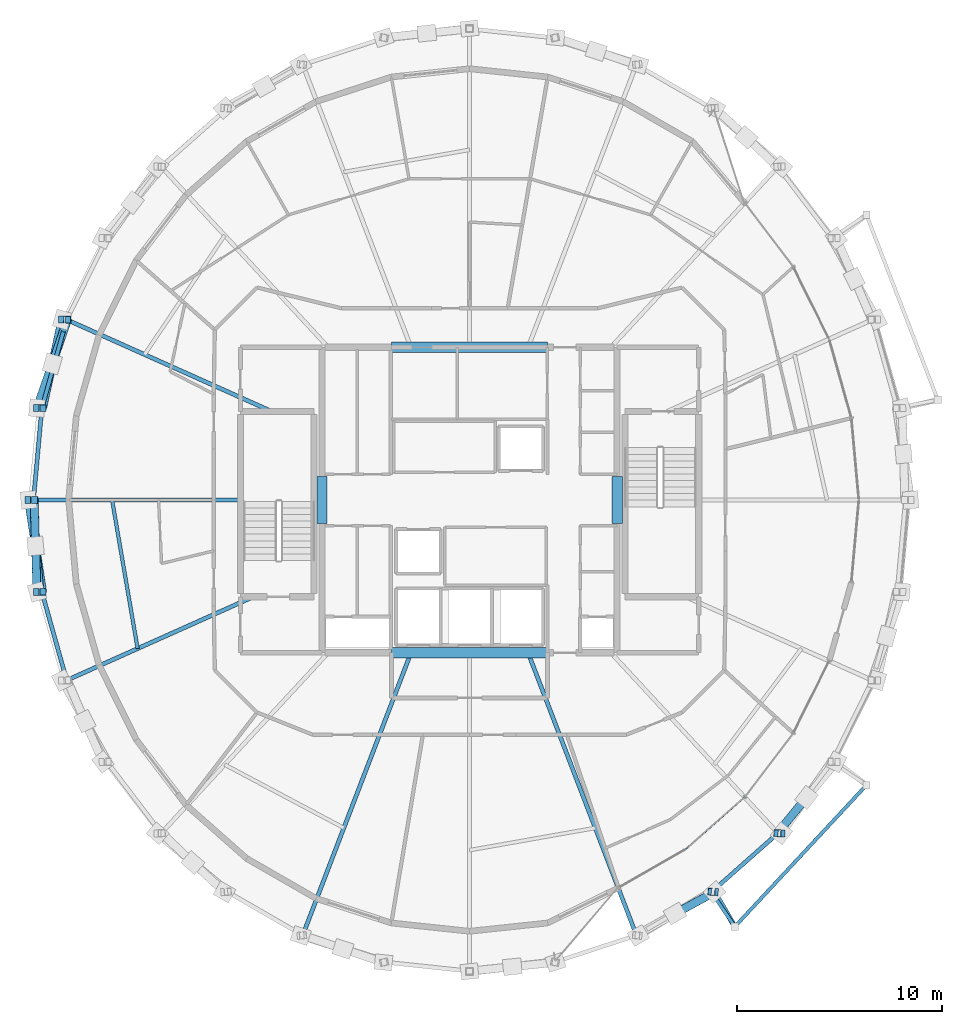
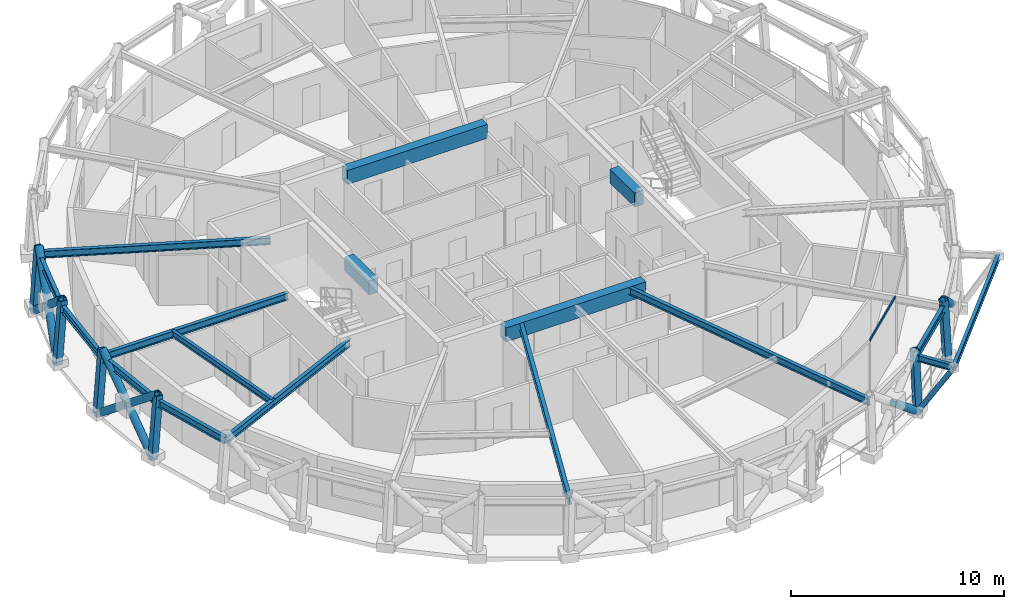
# One storey, part 3 of 15: 17 beams, 16 members, 1 element without a shape of its own.
"""IFC4 building model written with IfcOpenShell, lengths in metres."""

from ifc_helpers import new_model, si_unit, direction, frame, origin, origin_2d, place, context, subcontext, project, spatial, rectangle, hollow_rectangle, hollow_circle, i_section, extrude, material, layer, layer_set, material_profile, profile_set, type_object, element, aggregate, save


model = new_model("IFC4")

# Units and contexts
model_context = context("Model", 3, precision=1e-05, world=origin(), true_north=direction((0.0, 1.0)))
body_context = subcontext(model_context, "Body", "Model", "MODEL_VIEW")
ifc_project = project(units=[si_unit("LENGTHUNIT", "METRE"), si_unit("AREAUNIT", "SQUARE_METRE"), si_unit("VOLUMEUNIT", "CUBIC_METRE"), si_unit("PLANEANGLEUNIT", "RADIAN"), si_unit("MASSUNIT", "GRAM", prefix="KILO")], contexts=[model_context])

# Site, building, storey
site_placement = place(None, origin())
site = spatial("IfcSite", under=ifc_project, at=site_placement, CompositionType="ELEMENT")
building_placement = place(site_placement, origin())
building = spatial("IfcBuilding", under=site, at=building_placement, Name="Veldorina Hangang Commons", CompositionType="ELEMENT")
storey_placement = place(building_placement, frame((0.0, 0.0, 268.800048828125)))
storey = spatial("IfcBuildingStorey", under=building, at=storey_placement, Name="L70", CompositionType="ELEMENT", Elevation=268.800048828125)

# Beams
ifc_material_1 = material(Name="Concrete C50/60", Category="concrete")
ifc_material_profile_1 = material_profile(ifc_material_1, rectangle(XDim=0.5, YDim=0.800048828125, at=origin_2d()), Name="RC-CB-500x800")
ifc_profile_set_1 = profile_set([ifc_material_profile_1], Name="Concrete C50/60")
beam_type_1 = type_object("IfcBeamType", Name="BM-CB800", PredefinedType="LINTEL", material=ifc_profile_set_1)
for number, where, z_axis, x_axis, name in (
    (1, (24.800048828125, 22.85009765625, 2.9599609375), (0.0, 1.0, 0.0), (-1.0, 0.0, 0.0), "L70 W core coupling lintel beam"),
    (2, (39.199951171875, 22.85009765625, 2.9599609375), (0.0, 1.0, 0.0), (-1.0, 0.0, 0.0), "L70 E core coupling lintel beam"),
):
    element("IfcBeam", number, at=place(storey_placement, frame(where, z_axis=z_axis, x_axis=x_axis)), inside=storey, type_object=beam_type_1, Name=name, PredefinedType="LINTEL", context=body_context, shape_type="SweptSolid", body=[
        extrude(rectangle(XDim=0.5, YDim=0.800048828125, at=origin_2d()), origin(), (0.0, 0.0, 1.0), 2.2998046875),
    ])
for number, where, z_axis, x_axis, name in (
    (3, (28.199951171875, 16.550048828125, 2.9599609375), (1.0, 0.0, 0.0), (0.0, 1.0, 0.0), "L70 south core coupling beam"),
    (4, (28.199951171875, 31.449951171875, 2.9599609375), (1.0, 0.0, 0.0), (0.0, 1.0, 0.0), "L70 north core coupling beam"),
):
    element("IfcBeam", number, at=place(storey_placement, frame(where, z_axis=z_axis, x_axis=x_axis)), inside=storey, type_object=beam_type_1, Name=name, PredefinedType="LINTEL", context=body_context, shape_type="SweptSolid", body=[
        extrude(rectangle(XDim=0.5, YDim=0.800048828125, at=origin_2d()), origin(), (0.0, 0.0, 1.0), 7.60009765625),
    ])
ifc_material_2 = material(Name="Steel SM355-TMC", Category="steel")
ifc_material_profile_2 = material_profile(ifc_material_2, i_section(OverallWidth=0.175048828125, OverallDepth=0.35009765625, WebThickness=0.007080078125, FlangeThickness=0.010986328125, FilletRadius=0.012939453125, at=origin_2d()), Name="H-350x175x7x11")
ifc_profile_set_2 = profile_set([ifc_material_profile_2], Name="Steel SM355-TMC")
beam_type_2 = type_object("IfcBeamType", Name="BM-FG350", PredefinedType="BEAM", material=ifc_profile_set_2)
beam_1_placement = place(storey_placement, frame((43.79833984375, 4.888916015625, 3.18505859375), z_axis=(0.555551852394, -0.83148189355, 0.0), x_axis=(0.83148189355, 0.555551852394, 0.0)))
element("IfcBeam", 5, at=beam_1_placement, inside=storey, type_object=beam_type_2, Name="L71 tree balcony 1 bracket beam A", PredefinedType="BEAM", context=body_context, shape_type="SweptSolid", body=[
    extrude(i_section(OverallWidth=0.175048828125, OverallDepth=0.35009765625, WebThickness=0.007080078125, FlangeThickness=0.010986328125, FilletRadius=0.012939453125, at=origin_2d()), origin(), (0.0, 0.0, 1.0), 2.050048828125),
])
beam_2_placement = place(storey_placement, frame((44.937255859375, 3.184326171875, 3.18505859375), z_axis=(0.681073287726, 0.732215253014, 0.0), x_axis=(-0.732215253014, 0.681073287726, 0.0)))
element("IfcBeam", 6, at=beam_2_placement, inside=storey, type_object=beam_type_2, Name="L71 tree balcony 1 outer rim beam", PredefinedType="BEAM", context=body_context, shape_type="SweptSolid", body=[
    extrude(i_section(OverallWidth=0.175048828125, OverallDepth=0.35009765625, WebThickness=0.007080078125, FlangeThickness=0.010986328125, FilletRadius=0.012939453125, at=origin_2d()), origin(), (0.0, 0.0, 1.0), 9.43310546875),
])
ifc_material_profile_3 = material_profile(ifc_material_2, i_section(OverallWidth=0.199951171875, OverallDepth=0.39990234375, WebThickness=0.008056640625, FlangeThickness=0.012939453125, FilletRadius=0.012939453125, at=origin_2d()), Name="H-400x200x8x13")
ifc_profile_set_3 = profile_set([ifc_material_profile_3], Name="Steel SM355-TMC")
beam_type_3 = type_object("IfcBeamType", Name="BM-FG400", PredefinedType="BEAM", material=ifc_profile_set_3)
beam_3_placement = place(storey_placement, frame((22.34912109375, 28.320068359375, 3.159912109375), z_axis=(-0.912739765698, 0.408541454583, 0.0), x_axis=(-0.408541454583, -0.912739765698, 0.0)))
element("IfcBeam", 7, at=beam_3_placement, inside=storey, type_object=beam_type_3, Name="L70 radial floor girder 08", PredefinedType="BEAM", context=body_context, shape_type="SweptSolid", body=[
    extrude(i_section(OverallWidth=0.199951171875, OverallDepth=0.39990234375, WebThickness=0.008056640625, FlangeThickness=0.012939453125, FilletRadius=0.012939453125, at=origin_2d()), origin(), (0.0, 0.0, 1.0), 10.956787109375),
])
beam_4_placement = place(storey_placement, frame((20.820068359375, 24.0, 3.159912109375), z_axis=(-1.0, 0.0, 0.0), x_axis=(0.0, -1.0, 0.0)))
element("IfcBeam", 8, at=beam_4_placement, inside=storey, type_object=beam_type_3, Name="L70 radial floor girder 09", PredefinedType="BEAM", context=body_context, shape_type="SweptSolid", body=[
    extrude(i_section(OverallWidth=0.199951171875, OverallDepth=0.39990234375, WebThickness=0.008056640625, FlangeThickness=0.012939453125, FilletRadius=0.012939453125, at=origin_2d()), origin(), (0.0, 0.0, 1.0), 10.090576171875),
])
beam_5_placement = place(storey_placement, frame((21.45556640625, 19.280029296875, 3.159912109375), z_axis=(-0.912737826534, -0.408545786924, 0.0), x_axis=(0.408545786924, -0.912737826534, 0.0)))
element("IfcBeam", 9, at=beam_5_placement, inside=storey, type_object=beam_type_3, Name="L70 radial floor girder 10", PredefinedType="BEAM", context=body_context, shape_type="SweptSolid", body=[
    extrude(i_section(OverallWidth=0.199951171875, OverallDepth=0.39990234375, WebThickness=0.008056640625, FlangeThickness=0.012939453125, FilletRadius=0.012939453125, at=origin_2d()), origin(), (0.0, 0.0, 1.0), 9.977783203125),
])
for number, where, z_axis, x_axis, name in (
    (10, (29.144287109375, 16.550048828125, 3.159912109375), (-0.357895163027, -0.933761774909, 0.0), (0.933761774909, -0.357895163027, 0.0), "L70 radial floor girder 12"),
    (11, (34.855712890625, 16.550048828125, 3.159912109375), (0.357895163027, -0.933761774909, 0.0), (0.933761774909, 0.357895163027, 0.0), "L70 radial floor girder 14"),
):
    element("IfcBeam", number, at=place(storey_placement, frame(where, z_axis=z_axis, x_axis=x_axis)), inside=storey, type_object=beam_type_3, Name=name, PredefinedType="BEAM", context=body_context, shape_type="SweptSolid", body=[
        extrude(i_section(OverallWidth=0.199951171875, OverallDepth=0.39990234375, WebThickness=0.008056640625, FlangeThickness=0.012939453125, FilletRadius=0.012939453125, at=origin_2d()), origin(), (0.0, 0.0, 1.0), 14.7646484375),
    ])
ifc_material_profile_4 = material_profile(ifc_material_2, i_section(OverallWidth=0.175048828125, OverallDepth=0.35009765625, WebThickness=0.007080078125, FlangeThickness=0.010986328125, FilletRadius=0.012939453125, at=origin_2d()), Name="H-350x175x7x11")
ifc_profile_set_4 = profile_set([ifc_material_profile_4], Name="Steel SM355-TMC")
beam_type_4 = type_object("IfcBeamType", Name="BM-JST350", PredefinedType="JOIST", material=ifc_profile_set_4)
beam_6_placement = place(storey_placement, frame((14.563720703125, 24.0, 3.18505859375), z_axis=(0.169355440578, -0.985555038923, 0.0), x_axis=(0.985555038923, 0.169355440578, 0.0)))
element("IfcBeam", 12, at=beam_6_placement, inside=storey, type_object=beam_type_4, Name="L70 secondary floor joist 09", PredefinedType="JOIST", context=body_context, shape_type="SweptSolid", body=[
    extrude(i_section(OverallWidth=0.175048828125, OverallDepth=0.35009765625, WebThickness=0.007080078125, FlangeThickness=0.010986328125, FilletRadius=0.012939453125, at=origin_2d()), origin(), (0.0, 0.0, 1.0), 7.353515625),
])
ifc_material_profile_5 = material_profile(ifc_material_2, i_section(OverallWidth=0.199951171875, OverallDepth=0.39990234375, WebThickness=0.008056640625, FlangeThickness=0.012939453125, FilletRadius=0.012939453125, at=origin_2d()), Name="H-400x200x8x13")
ifc_profile_set_5 = profile_set([ifc_material_profile_5], Name="Steel SM355-TMC")
beam_type_5 = type_object("IfcBeamType", Name="BM-RB400", PredefinedType="BEAM", material=ifc_profile_set_5)
beam_7_placement = place(storey_placement, frame((12.348388671875, 32.79638671875, 3.159912109375), z_axis=(-0.270218270075, -0.962799089383, 0.0), x_axis=(0.962799089383, -0.270218270075, 0.0)))
element("IfcBeam", 13, at=beam_7_placement, inside=storey, type_object=beam_type_5, Name="L70 perimeter hoop ring beam 14", PredefinedType="BEAM", context=body_context, shape_type="SweptSolid", body=[
    extrude(i_section(OverallWidth=0.199951171875, OverallDepth=0.39990234375, WebThickness=0.008056640625, FlangeThickness=0.012939453125, FilletRadius=0.012939453125, at=origin_2d()), origin(), (0.0, 0.0, 1.0), 4.478515625),
])
for number, where, z_axis, x_axis, name in (
    (14, (11.13818359375, 28.484375, 3.159912109375), (-0.090760614325, -0.995872738299, 0.0), (0.995872738299, -0.090760614325, 0.0), "L70 perimeter hoop ring beam 15"),
    (15, (10.7294921875, 24.0, 3.159912109375), (0.090760614325, -0.995872738299, 0.0), (0.995872738299, 0.090760614325, 0.0), "L70 perimeter hoop ring beam 16"),
):
    element("IfcBeam", number, at=place(storey_placement, frame(where, z_axis=z_axis, x_axis=x_axis)), inside=storey, type_object=beam_type_5, Name=name, PredefinedType="BEAM", context=body_context, shape_type="SweptSolid", body=[
        extrude(i_section(OverallWidth=0.199951171875, OverallDepth=0.39990234375, WebThickness=0.008056640625, FlangeThickness=0.012939453125, FilletRadius=0.012939453125, at=origin_2d()), origin(), (0.0, 0.0, 1.0), 4.5029296875),
    ])
beam_8_placement = place(storey_placement, frame((11.13818359375, 19.515625, 3.159912109375), z_axis=(0.270218270075, -0.962799089383, 0.0), x_axis=(0.962799089383, 0.270218270075, 0.0)))
element("IfcBeam", 16, at=beam_8_placement, inside=storey, type_object=beam_type_5, Name="L70 perimeter hoop ring beam 17", PredefinedType="BEAM", context=body_context, shape_type="SweptSolid", body=[
    extrude(i_section(OverallWidth=0.199951171875, OverallDepth=0.39990234375, WebThickness=0.008056640625, FlangeThickness=0.012939453125, FilletRadius=0.012939453125, at=origin_2d()), origin(), (0.0, 0.0, 1.0), 4.478515625),
])
beam_9_placement = place(storey_placement, frame((43.8173828125, 4.8876953125, 3.159912109375), z_axis=(0.74817173602, 0.663505126899, 0.0), x_axis=(-0.663505126899, 0.74817173602, 0.0)))
element("IfcBeam", 17, at=beam_9_placement, inside=storey, type_object=beam_type_5, Name="L70 perimeter hoop ring beam 27", PredefinedType="BEAM", context=body_context, shape_type="SweptSolid", body=[
    extrude(i_section(OverallWidth=0.199951171875, OverallDepth=0.39990234375, WebThickness=0.008056640625, FlangeThickness=0.012939453125, FilletRadius=0.012939453125, at=origin_2d()), origin(), (0.0, 0.0, 1.0), 4.30810546875),
])

# Curtain wall, member
ifc_material_3 = material(Name="Glass Low-E Selective", Category="glass")
ifc_layer = layer(ifc_material_3, 0.179931640625)
ifc_layer_set = layer_set([ifc_layer], Name="Glass Low-E Selective")
curtain_wall_type = type_object("IfcCurtainWallType", Name="CW-SYS-Z3", PredefinedType="NOTDEFINED", material=ifc_layer_set)
curtain_wall_placement = place(storey_placement, origin())
curtain_wall = element("IfcCurtainWall", 18, at=curtain_wall_placement, inside=storey, type_object=curtain_wall_type, Name="L70 unitised curtain wall CW-L70-R1", PredefinedType="NOTDEFINED")
ifc_material_4 = material(Name="Aluminium Anodized AA6063-T6", Category="aluminium")
ifc_material_profile_6 = material_profile(ifc_material_4, hollow_rectangle(XDim=0.06005859375, YDim=0.139892578125, WallThickness=0.00341796875, at=origin_2d()), Name="ALU-RHS-140x60x3.5")
ifc_profile_set_6 = profile_set([ifc_material_profile_6], Name="Aluminium Anodized AA6063-T6")
member_type_1 = type_object("IfcMemberType", Name="CW-TRN-140", PredefinedType="USERDEFINED", material=ifc_profile_set_6)
member_1_placement = place(storey_placement, frame((42.55419921875, 6.97412109375, 3.280029296875), z_axis=(0.749012324683, 0.662556063645, 0.0), x_axis=(-0.662556063645, 0.749012324683, 0.0)))
member_1 = element("IfcMember", 19, at=member_1_placement, type_object=member_type_1, Name="CW-L70-R1 facet 2 transom 1", ObjectType="TRANSOM", PredefinedType="USERDEFINED", context=body_context, shape_type="SweptSolid", body=[
    extrude(hollow_rectangle(XDim=0.06005859375, YDim=0.139892578125, WallThickness=0.00341796875, at=origin_2d()), origin(), (0.0, 0.0, 1.0), 3.84326171875),
])
aggregate(curtain_wall, [member_1])

# Members
ifc_material_profile_7 = material_profile(ifc_material_2, hollow_circle(Radius=0.199951171875, WallThickness=0.02001953125, at=origin_2d()), Name="CHS-400x20")
ifc_profile_set_7 = profile_set([ifc_material_profile_7], Name="Steel SM355-TMC")
member_type_2 = type_object("IfcMemberType", Name="DG-CHS400", PredefinedType="BRACE", material=ifc_profile_set_7)
member_2_placement = place(storey_placement, frame((12.12109375, 32.800537109375, 0.0), z_axis=(-0.166567853631, -0.757243417897, 0.631535870865), x_axis=(0.976651421307, -0.214830168409, 0.0)))
element("IfcMember", 20, at=member_2_placement, inside=storey, type_object=member_type_2, Name="L70 continuous perimeter diagrid brace 14", PredefinedType="BRACE", context=body_context, shape_type="SweptSolid", body=[
    extrude(hollow_circle(Radius=0.199951171875, WallThickness=0.02001953125, at=origin_2d()), origin(), (0.0, 0.0, 1.0), 5.7001953125),
])
member_3_placement = place(storey_placement, frame((10.896484375, 28.486572265625, 0.0), z_axis=(0.257880542251, 0.741217558575, 0.619753303169), x_axis=(-0.944470802281, 0.328595349388, 0.0)))
element("IfcMember", 21, at=member_3_placement, inside=storey, type_object=member_type_2, Name="L70 split perimeter diagrid lower brace 15", PredefinedType="BRACE", context=body_context, shape_type="SweptSolid", body=[
    extrude(hollow_circle(Radius=0.199951171875, WallThickness=0.02001953125, at=origin_2d()), origin(), (0.0, 0.0, 1.0), 2.906494140625),
])
member_4_placement = place(storey_placement, frame((11.64599609375, 30.640869140625, 1.80126953125), z_axis=(0.253028198252, 0.742760194868, 0.619906463758), x_axis=(-0.946582367195, 0.322462125088, 0.0)))
element("IfcMember", 22, at=member_4_placement, inside=storey, type_object=member_type_2, Name="L70 split perimeter diagrid upper brace 15", PredefinedType="BRACE", context=body_context, shape_type="SweptSolid", body=[
    extrude(hollow_circle(Radius=0.199951171875, WallThickness=0.02001953125, at=origin_2d()), origin(), (0.0, 0.0, 1.0), 2.9013671875),
])
member_5_placement = place(storey_placement, frame((10.483154296875, 24.0, 0.0), z_axis=(0.118879016698, -0.774273368684, 0.621585496883), x_axis=(0.988417690503, 0.151757929287, 0.0)))
element("IfcMember", 23, at=member_5_placement, inside=storey, type_object=member_type_2, Name="L70 continuous perimeter diagrid brace 16", PredefinedType="BRACE", context=body_context, shape_type="SweptSolid", body=[
    extrude(hollow_circle(Radius=0.199951171875, WallThickness=0.02001953125, at=origin_2d()), origin(), (0.0, 0.0, 1.0), 5.79150390625),
])
member_6_placement = place(storey_placement, frame((10.896484375, 19.513427734375, 0.0), z_axis=(-0.023925275828, 0.779692499509, 0.625705351891), x_axis=(-0.999529531413, -0.030671091171, 0.0)))
element("IfcMember", 24, at=member_6_placement, inside=storey, type_object=member_type_2, Name="L70 split perimeter diagrid lower brace 17", PredefinedType="BRACE", context=body_context, shape_type="SweptSolid", body=[
    extrude(hollow_circle(Radius=0.199951171875, WallThickness=0.02001953125, at=origin_2d()), origin(), (0.0, 0.0, 1.0), 2.877685546875),
])
member_7_placement = place(storey_placement, frame((10.82763671875, 21.757080078125, 1.800537109375), z_axis=(-0.0222396352, 0.779830261772, 0.625595845135), x_axis=(-0.999593593784, -0.028506968714, 0.0)))
element("IfcMember", 25, at=member_7_placement, inside=storey, type_object=member_type_2, Name="L70 split perimeter diagrid upper brace 17", PredefinedType="BRACE", context=body_context, shape_type="SweptSolid", body=[
    extrude(hollow_circle(Radius=0.199951171875, WallThickness=0.02001953125, at=origin_2d()), origin(), (0.0, 0.0, 1.0), 2.876220703125),
])
member_8_placement = place(storey_placement, frame((43.9541015625, 4.878662109375, 0.0), z_axis=(-0.677766395207, -0.369721954606, 0.635561476027), x_axis=(0.478883269434, -0.877878587423, 0.0)))
element("IfcMember", 26, at=member_8_placement, inside=storey, type_object=member_type_2, Name="L70 split perimeter diagrid lower brace 27", PredefinedType="BRACE", context=body_context, shape_type="SweptSolid", body=[
    extrude(hollow_circle(Radius=0.199951171875, WallThickness=0.02001953125, at=origin_2d()), origin(), (0.0, 0.0, 1.0), 2.845947265625),
])
member_9_placement = place(storey_placement, frame((48.439208984375, 9.489013671875, 1.8046875), z_axis=(-0.494455878407, -0.605258791447, 0.623839065533), x_axis=(0.774431069879, -0.632658294821, 0.0)))
element("IfcMember", 27, at=member_9_placement, inside=storey, type_object=member_type_2, Name="L70 split perimeter diagrid upper brace 29", PredefinedType="BRACE", context=body_context, shape_type="SweptSolid", body=[
    extrude(hollow_circle(Radius=0.199951171875, WallThickness=0.02001953125, at=origin_2d()), origin(), (0.0, 0.0, 1.0), 2.877685546875),
])
ifc_material_profile_8 = material_profile(ifc_material_2, hollow_rectangle(XDim=0.25, YDim=0.25, WallThickness=0.011962890625, at=origin_2d()), Name="SHS-250x250x12")
ifc_profile_set_8 = profile_set([ifc_material_profile_8], Name="Steel SM355-TMC")
member_type_3 = type_object("IfcMemberType", Name="STR-SHS250", PredefinedType="STRUT", material=ifc_profile_set_8)
member_10_placement = place(storey_placement, frame((43.9541015625, 4.878662109375, 0.0), z_axis=(0.262928448111, -0.453122282069, 0.851791540616), x_axis=(0.864933811434, 0.50188594505, 0.0)))
element("IfcMember", 28, at=member_10_placement, inside=storey, type_object=member_type_3, Name="L71 tree balcony 1 raking knee strut A", PredefinedType="STRUT", context=body_context, shape_type="SweptSolid", body=[
    extrude(hollow_rectangle(XDim=0.25, YDim=0.25, WallThickness=0.011962890625, at=origin_2d()), origin(), (0.0, 0.0, 1.0), 3.7392578125),
])
ifc_material_profile_9 = material_profile(ifc_material_2, hollow_rectangle(XDim=0.35009765625, YDim=0.35009765625, WallThickness=0.01611328125, at=origin_2d()), Name="SHS-350x350x16")
ifc_profile_set_9 = profile_set([ifc_material_profile_9], Name="Steel SM355-TMC")
member_type_4 = type_object("IfcMemberType", Name="STR-SHS350", PredefinedType="STRUT", material=ifc_profile_set_9)
member_11_placement = place(storey_placement, frame((12.12109375, 32.800537109375, 0.0), z_axis=(0.071770969791, -0.001285248281, 0.997420310617), x_axis=(0.017904763657, 0.999839696871, 0.0)))
element("IfcMember", 29, at=member_11_placement, inside=storey, type_object=member_type_4, Name="L70 perimeter ring node post 14", PredefinedType="STRUT", context=body_context, shape_type="SweptSolid", body=[
    extrude(hollow_rectangle(XDim=0.35009765625, YDim=0.35009765625, WallThickness=0.01611328125, at=origin_2d()), origin(), (0.0, 0.0, 1.0), 3.609130859375),
])
member_12_placement = place(storey_placement, frame((10.896484375, 28.486572265625, 0.0), z_axis=(0.076210386881, -0.000676223486, 0.997091530228), x_axis=(0.008872765184, 0.999960636244, 0.0)))
element("IfcMember", 30, at=member_12_placement, inside=storey, type_object=member_type_4, Name="L70 perimeter ring node post 15", PredefinedType="STRUT", context=body_context, shape_type="SweptSolid", body=[
    extrude(hollow_rectangle(XDim=0.35009765625, YDim=0.35009765625, WallThickness=0.01611328125, at=origin_2d()), origin(), (0.0, 0.0, 1.0), 3.6103515625),
])
member_13_placement = place(storey_placement, frame((10.483154296875, 24.0, 0.0), z_axis=(0.077689202637, 0.0, 0.996977626526), x_axis=(0.0, 1.0, 0.0)))
element("IfcMember", 31, at=member_13_placement, inside=storey, type_object=member_type_4, Name="L70 perimeter ring node post 16", PredefinedType="STRUT", context=body_context, shape_type="SweptSolid", body=[
    extrude(hollow_rectangle(XDim=0.35009765625, YDim=0.35009765625, WallThickness=0.01611328125, at=origin_2d()), origin(), (0.0, 0.0, 1.0), 3.61083984375),
])
member_14_placement = place(storey_placement, frame((10.896484375, 19.513427734375, 0.0), z_axis=(0.076210386881, 0.000676223486, 0.997091530228), x_axis=(-0.008872765184, 0.999960636244, 0.0)))
element("IfcMember", 32, at=member_14_placement, inside=storey, type_object=member_type_4, Name="L70 perimeter ring node post 17", PredefinedType="STRUT", context=body_context, shape_type="SweptSolid", body=[
    extrude(hollow_rectangle(XDim=0.35009765625, YDim=0.35009765625, WallThickness=0.01611328125, at=origin_2d()), origin(), (0.0, 0.0, 1.0), 3.6103515625),
])
member_15_placement = place(storey_placement, frame((43.9541015625, 4.878662109375, 0.0), z_axis=(-0.043228282479, 0.002845749003, 0.99906116795), x_axis=(-0.065688538203, -0.997840175554, 0.0)))
element("IfcMember", 33, at=member_15_placement, inside=storey, type_object=member_type_4, Name="L70 perimeter ring node post 27", PredefinedType="STRUT", context=body_context, shape_type="SweptSolid", body=[
    extrude(hollow_rectangle(XDim=0.35009765625, YDim=0.35009765625, WallThickness=0.01611328125, at=origin_2d()), origin(), (0.0, 0.0, 1.0), 3.603271484375),
])
member_16_placement = place(storey_placement, frame((47.214599609375, 7.73876953125, 0.0), z_axis=(-0.054986046777, 0.002370088223, 0.998484310013), x_axis=(-0.04306346288, -0.999072338805, 0.0)))
element("IfcMember", 34, at=member_16_placement, inside=storey, type_object=member_type_4, Name="L70 perimeter ring node post 28", PredefinedType="STRUT", context=body_context, shape_type="SweptSolid", body=[
    extrude(hollow_rectangle(XDim=0.35009765625, YDim=0.35009765625, WallThickness=0.01611328125, at=origin_2d()), origin(), (0.0, 0.0, 1.0), 3.605224609375),
])

save(model, "model.ifc")
